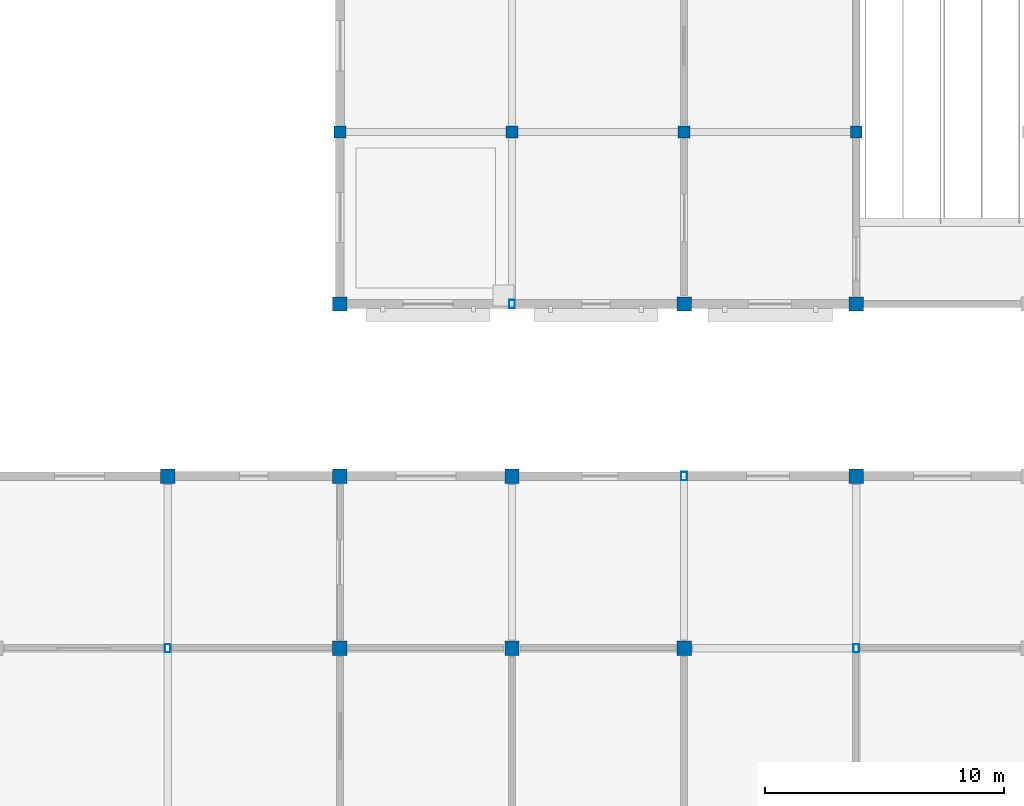
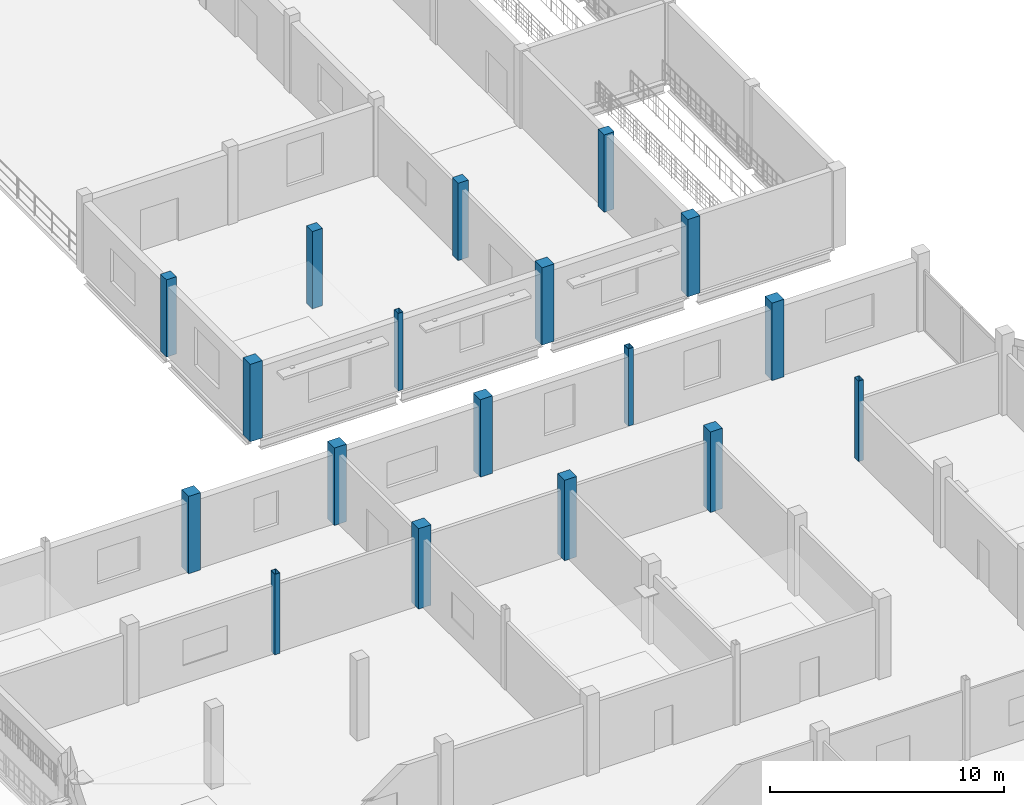
# One storey, part 7 of 51: 18 columns.
"""IFC4 building model written with IfcOpenShell, lengths in metres."""

import ifcopenshell
import ifcopenshell.guid

model = None  # the IFC model being written
_history = None  # IfcOwnerHistory: only IFC2X3 demands one
_inside = {}  # id of a spatial element -> (the spatial element, [elements in it])
_under = {}  # id of a project, library or spatial element -> (it, [spatial elements below it])
_declared = {}  # id of a project -> (the project, [libraries it declares])
_typed = {}  # id of a type object -> (the type object, [elements of that type])
_made_of = {}  # id of a material, layer set ... -> (it, [elements and type objects made of it])


def new_model(schema):
    """Start an empty IFC model of exactly this schema.

    Asked for "IFC4X3", IfcOpenShell would pick the latest addendum, in which some entities
    have other attributes; the version numbers below select the first issue.
    IFC2X3 requires an IfcOwnerHistory on every rooted entity: one is made here for all.
    """
    global model, _history
    if schema == "IFC4X3":
        model = ifcopenshell.file(schema_version=(4, 3, 0, 0))
    else:
        model = ifcopenshell.file(schema=schema)
    _inside.clear()
    _under.clear()
    _declared.clear()
    _typed.clear()
    _made_of.clear()
    _history = None
    if model.schema == "IFC2X3":
        org = make("IfcOrganization", Name="unknown")
        user = make(
            "IfcPersonAndOrganization",
            ThePerson=make("IfcPerson", FamilyName="unknown"),
            TheOrganization=org,
        )
        app = make(
            "IfcApplication",
            ApplicationDeveloper=org,
            Version="unknown",
            ApplicationFullName="unknown",
            ApplicationIdentifier="unknown",
        )
        _history = make(
            "IfcOwnerHistory",
            OwningUser=user,
            OwningApplication=app,
            ChangeAction="ADDED",
            CreationDate=0,
        )
    return model


def make(cls, **values):
    """One entity of the class cls with the attributes given. An attribute that is None is left unset."""
    return model.create_entity(
        cls, **{name: value for name, value in values.items() if value is not None}
    )


def rooted(cls, **values):
    """An entity with a GlobalId (a new one), such as an element, a storey or a relation."""
    return make(cls, GlobalId=ifcopenshell.guid.new(), OwnerHistory=_history, **values)


def si_unit(unit_type, name, prefix=None):
    """IfcSIUnit, for example si_unit("LENGTHUNIT", "METRE", prefix="MILLI")."""
    return make("IfcSIUnit", UnitType=unit_type, Prefix=prefix, Name=name)


def assignment(units):
    """IfcUnitAssignment: the units of a project."""
    return None if units is None else make("IfcUnitAssignment", Units=units)


def point(xyz):
    """IfcCartesianPoint."""
    return None if xyz is None else make("IfcCartesianPoint", Coordinates=xyz)


def direction(xyz):
    """IfcDirection."""
    return None if xyz is None else make("IfcDirection", DirectionRatios=xyz)


def frame(location, z_axis=None, x_axis=None):
    """IfcAxis2Placement3D, a coordinate frame: its origin and axes. An axis left out is left unset."""
    return make(
        "IfcAxis2Placement3D",
        Location=point(location),
        Axis=direction(z_axis),
        RefDirection=direction(x_axis),
    )


def frame_2d(location, x_axis=None):
    """IfcAxis2Placement2D, a coordinate frame in the plane: its origin and x axis."""
    return make(
        "IfcAxis2Placement2D", Location=point(location), RefDirection=direction(x_axis)
    )


def origin():
    """The frame at (0, 0, 0) with its axes left unset."""
    return frame((0.0, 0.0, 0.0))


def origin_2d():
    """The frame at (0, 0) in the plane with its x axis left unset."""
    return frame_2d((0.0, 0.0))


def place(relative_to, where):
    """IfcLocalPlacement: puts the frame where relative to a parent placement (None: the world)."""
    return make(
        "IfcLocalPlacement", PlacementRelTo=relative_to, RelativePlacement=where
    )


def context(
    kind, dimensions, precision=None, world=None, true_north=None, identifier=None
):
    """IfcGeometricRepresentationContext, for example the 3D "Model" context."""
    return make(
        "IfcGeometricRepresentationContext",
        ContextIdentifier=identifier,
        ContextType=kind,
        CoordinateSpaceDimension=dimensions,
        Precision=precision,
        WorldCoordinateSystem=world,
        TrueNorth=true_north,
    )


def subcontext(parent, identifier, kind, view, scale=None):
    """IfcGeometricRepresentationSubContext, for example "Body" below "Model"."""
    return make(
        "IfcGeometricRepresentationSubContext",
        ContextIdentifier=identifier,
        ContextType=kind,
        ParentContext=parent,
        TargetScale=scale,
        TargetView=view,
    )


def project(units=None, contexts=None):
    """IfcProject with its units and contexts."""
    return rooted(
        "IfcProject",
        Name="project",
        RepresentationContexts=contexts,
        UnitsInContext=assignment(units),
    )


def spatial(cls, under=None, at=None, **own):
    """A site, building, storey or space (cls), placed at a placement, below another one or the project."""
    s = rooted(cls, ObjectPlacement=at, **own)
    if under is not None:
        _under.setdefault(under.id(), (under, []))[1].append(s)
    return s


def profile(cls, at=None, kind="AREA", **sizes):
    """A parametric profile (cls). Its sizes go by their IFC names, for example OverallWidth=200.0."""
    return make(cls, ProfileType=kind, Position=at, **sizes)


def rectangle(**sizes):
    """IfcRectangleProfileDef."""
    return profile("IfcRectangleProfileDef", **sizes)


def hollow_rectangle(**sizes):
    """IfcRectangleHollowProfileDef."""
    return profile("IfcRectangleHollowProfileDef", **sizes)


def extrude(swept, where, along, depth):
    """IfcExtrudedAreaSolid: the profile swept, set in the frame where, extruded along a direction by depth."""
    return make(
        "IfcExtrudedAreaSolid",
        SweptArea=swept,
        Position=where,
        ExtrudedDirection=direction(along),
        Depth=depth,
    )


def shape(context_of_items, identifier, shape_type, items):
    """IfcShapeRepresentation: the items that make up one representation, for example the "Body"."""
    return make(
        "IfcShapeRepresentation",
        ContextOfItems=context_of_items,
        RepresentationIdentifier=identifier,
        RepresentationType=shape_type,
        Items=items,
    )


def material(Name=None, Category=None):
    """IfcMaterial."""
    return make("IfcMaterial", Name=Name, Category=Category)


def material_profile(
    of_material, cross_section, Name=None, Category=None, Priority=None
):
    """IfcMaterialProfile: a cross section and its material."""
    return make(
        "IfcMaterialProfile",
        Name=Name,
        Material=of_material,
        Profile=cross_section,
        Priority=Priority,
        Category=Category,
    )


def profile_set(profiles, Name=None, composite=None):
    """IfcMaterialProfileSet."""
    return make(
        "IfcMaterialProfileSet",
        Name=Name,
        MaterialProfiles=profiles,
        CompositeProfile=composite,
    )


def made_of(thing, what):
    """Note that an element or type object is made of a material, layer set ...; save() writes the relation."""
    if what is not None:
        _made_of.setdefault(what.id(), (what, []))[1].append(thing)
    return thing


def type_object(cls, material=None, **own):
    """A type object (cls), such as IfcWallType, which elements share."""
    return made_of(rooted(cls, **own), material)


def element(
    cls,
    number,
    at=None,
    inside=None,
    cuts=None,
    type_object=None,
    material=None,
    context=None,
    identifier="Body",
    shape_type=None,
    held_by="IfcProductDefinitionShape",
    body=None,
    shapes=None,
    **own,
):
    """One element of the class cls, such as IfcWall. Its Tag is "e" and its number.

    at: its placement. inside: the storey or other place that contains it. cuts: it is an
    opening in that element (IfcRelVoidsElement). A single representation is given by context,
    identifier, shape_type and body (its items); several are given by shapes. held_by: the class
    of the entity that holds the representations. save() writes the other relations.
    """
    e = rooted(cls, Tag="e%d" % number, ObjectPlacement=at, **own)
    if body is not None:
        shapes = [shape(context, identifier, shape_type, body)]
    if shapes is not None:
        e.Representation = make(held_by, Representations=shapes)
    if inside is not None:
        _inside.setdefault(inside.id(), (inside, []))[1].append(e)
    if cuts is not None:
        rooted(
            "IfcRelVoidsElement", RelatingBuildingElement=cuts, RelatedOpeningElement=e
        )
    if type_object is not None:
        _typed.setdefault(type_object.id(), (type_object, []))[1].append(e)
    return made_of(e, material)


def aggregate(whole, parts):
    """IfcRelAggregates: a whole, such as a stair, and the parts it consists of."""
    return rooted("IfcRelAggregates", RelatingObject=whole, RelatedObjects=parts)


def save(model, path):
    """Write the relations noted so far, then the file.

    IfcRelAggregates (storeys below a building ...), IfcRelContainedInSpatialStructure (elements
    in a storey), IfcRelDefinesByType, IfcRelAssociatesMaterial and IfcRelDeclares: one each for
    every whole, place, type object, material and project.
    """
    for whole, parts in _under.values():
        aggregate(whole, parts)
    for where, things in _inside.values():
        rooted(
            "IfcRelContainedInSpatialStructure",
            RelatedElements=things,
            RelatingStructure=where,
        )
    for kind, things in _typed.values():
        rooted("IfcRelDefinesByType", RelatedObjects=things, RelatingType=kind)
    for what, things in _made_of.values():
        rooted("IfcRelAssociatesMaterial", RelatedObjects=things, RelatingMaterial=what)
    for by, libraries in _declared.values():
        rooted("IfcRelDeclares", RelatingContext=by, RelatedDefinitions=libraries)
    model.write(path)


model = new_model("IFC4")

# Units and contexts
model_context = context("Model", 3, precision=1e-05, world=origin(), true_north=direction((0.0, 1.0)))
body_context = subcontext(model_context, "Body", "Model", "MODEL_VIEW")
ifc_project = project(units=[si_unit("LENGTHUNIT", "METRE"), si_unit("AREAUNIT", "SQUARE_METRE"), si_unit("VOLUMEUNIT", "CUBIC_METRE"), si_unit("PLANEANGLEUNIT", "RADIAN"), si_unit("MASSUNIT", "GRAM", prefix="KILO")], contexts=[model_context])

# Site, building, storey
site_placement = place(None, origin())
site = spatial("IfcSite", under=ifc_project, at=site_placement, CompositionType="ELEMENT")
building_placement = place(site_placement, origin())
building = spatial("IfcBuilding", under=site, at=building_placement, Name="Vesperath Aquatics Centre", CompositionType="ELEMENT")
storey_placement = place(building_placement, frame((0.0, 0.0, 15.0)))
storey = spatial("IfcBuildingStorey", under=building, at=storey_placement, Name="L03", CompositionType="ELEMENT", Elevation=15.0)

# Columns
ifc_material_1 = material(Name="Concrete C40", Category="concrete")
ifc_material_profile_1 = material_profile(ifc_material_1, rectangle(XDim=0.60009765625, YDim=0.60009765625, at=origin_2d()), Name="RC 600x600")
ifc_profile_set_1 = profile_set([ifc_material_profile_1], Name="Concrete C40")
column_type_1 = type_object("IfcColumnType", Name="CL-C06", PredefinedType="COLUMN", material=ifc_profile_set_1)
column_1_placement = place(storey_placement, frame((136.800048828125, 43.199951171875, 0.0), z_axis=(0.0, 0.0, 1.0), x_axis=(1.0, 0.0, 0.0)))
element("IfcColumn", 1, at=column_1_placement, inside=storey, type_object=column_type_1, Name="Column C06 L03 20/G", PredefinedType="COLUMN", context=body_context, shape_type="SweptSolid", body=[
    extrude(rectangle(XDim=0.60009765625, YDim=0.60009765625, at=origin_2d()), origin(), (0.0, 0.0, 1.0), 4.0400390625),
])
column_2_placement = place(storey_placement, frame((144.0, 36.0, 0.0), z_axis=(0.0, 0.0, 1.0), x_axis=(1.0, 0.0, 0.0)))
element("IfcColumn", 2, at=column_2_placement, inside=storey, type_object=column_type_1, Name="Column C06 L03 21/F", PredefinedType="COLUMN", context=body_context, shape_type="SweptSolid", body=[
    extrude(rectangle(XDim=0.60009765625, YDim=0.60009765625, at=origin_2d()), origin(), (0.0, 0.0, 1.0), 4.199951171875),
])
for number, where, z_axis, x_axis, name in (
    (3, (144.0, 43.199951171875, 0.0), (0.0, 0.0, 1.0), (1.0, 0.0, 0.0), "Column C06 L03 21/G"),
    (4, (144.0, 50.39990234375, 0.0), (0.0, 0.0, 1.0), (1.0, 0.0, 0.0), "Column C06 L03 21/H"),
):
    element("IfcColumn", number, at=place(storey_placement, frame(where, z_axis=z_axis, x_axis=x_axis)), inside=storey, type_object=column_type_1, Name=name, PredefinedType="COLUMN", context=body_context, shape_type="SweptSolid", body=[
        extrude(rectangle(XDim=0.60009765625, YDim=0.60009765625, at=origin_2d()), origin(), (0.0, 0.0, 1.0), 4.0400390625),
    ])
column_3_placement = place(storey_placement, frame((151.199951171875, 36.0, 0.0), z_axis=(0.0, 0.0, 1.0), x_axis=(1.0, 0.0, 0.0)))
element("IfcColumn", 5, at=column_3_placement, inside=storey, type_object=column_type_1, Name="Column C06 L03 22/F", PredefinedType="COLUMN", context=body_context, shape_type="SweptSolid", body=[
    extrude(rectangle(XDim=0.60009765625, YDim=0.60009765625, at=origin_2d()), origin(), (0.0, 0.0, 1.0), 4.199951171875),
])
column_4_placement = place(storey_placement, frame((151.199951171875, 43.199951171875, 0.0), z_axis=(0.0, 0.0, 1.0), x_axis=(1.0, 0.0, 0.0)))
element("IfcColumn", 6, at=column_4_placement, inside=storey, type_object=column_type_1, Name="Column C06 L03 22/G", PredefinedType="COLUMN", context=body_context, shape_type="SweptSolid", body=[
    extrude(rectangle(XDim=0.60009765625, YDim=0.60009765625, at=origin_2d()), origin(), (0.0, 0.0, 1.0), 4.0400390625),
])
column_5_placement = place(storey_placement, frame((158.39990234375, 36.0, 0.0), z_axis=(0.0, 0.0, 1.0), x_axis=(1.0, 0.0, 0.0)))
element("IfcColumn", 7, at=column_5_placement, inside=storey, type_object=column_type_1, Name="Column C06 L03 23/F", PredefinedType="COLUMN", context=body_context, shape_type="SweptSolid", body=[
    extrude(rectangle(XDim=0.60009765625, YDim=0.60009765625, at=origin_2d()), origin(), (0.0, 0.0, 1.0), 4.199951171875),
])
for number, where, z_axis, x_axis, name in (
    (8, (158.39990234375, 50.39990234375, 0.0), (0.0, 0.0, 1.0), (1.0, 0.0, 0.0), "Column C06 L03 23/H"),
    (9, (165.60009765625, 43.199951171875, 0.0), (0.0, 0.0, 1.0), (1.0, 0.0, 0.0), "Column C06 L03 24/G"),
    (10, (165.60009765625, 50.39990234375, 0.0), (0.0, 0.0, 1.0), (1.0, 0.0, 0.0), "Column C06 L03 24/H"),
):
    element("IfcColumn", number, at=place(storey_placement, frame(where, z_axis=z_axis, x_axis=x_axis)), inside=storey, type_object=column_type_1, Name=name, PredefinedType="COLUMN", context=body_context, shape_type="SweptSolid", body=[
        extrude(rectangle(XDim=0.60009765625, YDim=0.60009765625, at=origin_2d()), origin(), (0.0, 0.0, 1.0), 4.0400390625),
    ])
ifc_material_2 = material(Name="Concrete C35", Category="concrete")
ifc_material_profile_2 = material_profile(ifc_material_2, rectangle(XDim=0.5, YDim=0.5, at=origin_2d()), Name="RC 500x500")
ifc_profile_set_2 = profile_set([ifc_material_profile_2], Name="Concrete C35")
column_type_2 = type_object("IfcColumnType", Name="CL-C07", PredefinedType="COLUMN", material=ifc_profile_set_2)
for number, where, z_axis, x_axis, name in (
    (11, (144.0, 57.60009765625, 0.0), (0.0, 0.0, 1.0), (1.0, 0.0, 0.0), "Column C07 L03 21/J"),
    (12, (151.199951171875, 57.60009765625, 0.0), (0.0, 0.0, 1.0), (1.0, 0.0, 0.0), "Column C07 L03 22/J"),
    (13, (158.39990234375, 57.60009765625, 0.0), (0.0, 0.0, 1.0), (1.0, 0.0, 0.0), "Column C07 L03 23/J"),
    (14, (165.60009765625, 57.60009765625, 0.0), (0.0, 0.0, 1.0), (1.0, 0.0, 0.0), "Column C07 L03 24/J"),
):
    element("IfcColumn", number, at=place(storey_placement, frame(where, z_axis=z_axis, x_axis=x_axis)), inside=storey, type_object=column_type_2, Name=name, PredefinedType="COLUMN", context=body_context, shape_type="SweptSolid", body=[
        extrude(rectangle(XDim=0.5, YDim=0.5, at=origin_2d()), origin(), (0.0, 0.0, 1.0), 4.0400390625),
    ])
ifc_material_3 = material(Name="Steel Q355C", Category="steel")
ifc_material_profile_3 = material_profile(ifc_material_3, hollow_rectangle(XDim=0.25, YDim=0.35009765625, WallThickness=0.011962890625, at=origin_2d()), Name="RHS 350x250x12")
ifc_profile_set_3 = profile_set([ifc_material_profile_3], Name="Steel Q355C")
column_type_3 = type_object("IfcColumnType", Name="CL-C16", PredefinedType="COLUMN", material=ifc_profile_set_3)
column_6_placement = place(storey_placement, frame((136.800048828125, 36.0, 0.0), z_axis=(0.0, 0.0, 1.0), x_axis=(1.0, 0.0, 0.0)))
element("IfcColumn", 15, at=column_6_placement, inside=storey, type_object=column_type_3, Name="Column C16 L03 20/F", PredefinedType="COLUMN", context=body_context, shape_type="SweptSolid", body=[
    extrude(hollow_rectangle(XDim=0.25, YDim=0.35009765625, WallThickness=0.011962890625, at=origin_2d()), origin(), (0.0, 0.0, 1.0), 4.199951171875),
])
for number, where, z_axis, x_axis, name in (
    (16, (151.199951171875, 50.39990234375, 0.0), (0.0, 0.0, 1.0), (1.0, 0.0, 0.0), "Column C16 L03 22/H"),
    (17, (158.39990234375, 43.199951171875, 0.0), (0.0, 0.0, 1.0), (1.0, 0.0, 0.0), "Column C16 L03 23/G"),
):
    element("IfcColumn", number, at=place(storey_placement, frame(where, z_axis=z_axis, x_axis=x_axis)), inside=storey, type_object=column_type_3, Name=name, PredefinedType="COLUMN", context=body_context, shape_type="SweptSolid", body=[
        extrude(hollow_rectangle(XDim=0.25, YDim=0.35009765625, WallThickness=0.011962890625, at=origin_2d()), origin(), (0.0, 0.0, 1.0), 4.0400390625),
    ])
column_7_placement = place(storey_placement, frame((165.60009765625, 36.0, 0.0), z_axis=(0.0, 0.0, 1.0), x_axis=(1.0, 0.0, 0.0)))
element("IfcColumn", 18, at=column_7_placement, inside=storey, type_object=column_type_3, Name="Column C16 L03 24/F", PredefinedType="COLUMN", context=body_context, shape_type="SweptSolid", body=[
    extrude(hollow_rectangle(XDim=0.25, YDim=0.35009765625, WallThickness=0.011962890625, at=origin_2d()), origin(), (0.0, 0.0, 1.0), 4.199951171875),
])

save(model, "model.ifc")
